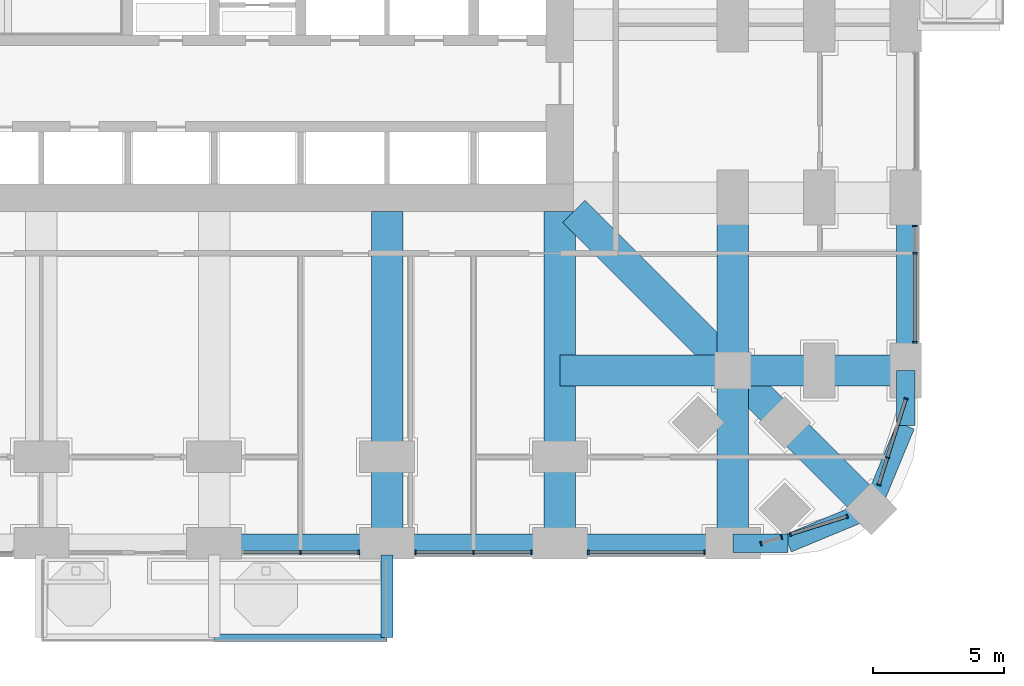
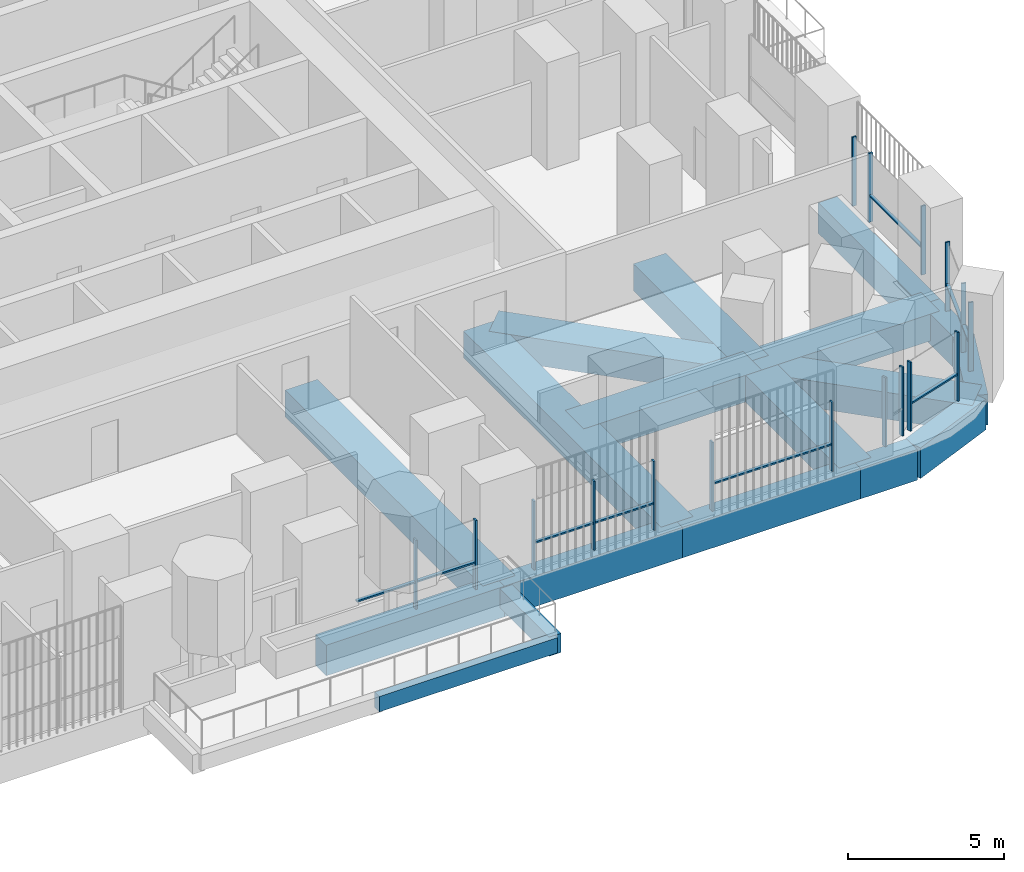
# One storey, part 4 of 26: 26 members, 18 beams, 7 elements without a shape of their own.
"""IFC4 building model written with IfcOpenShell, lengths in metres."""

from ifc_helpers import new_model, si_unit, direction, frame, origin, origin_2d, place, context, subcontext, project, spatial, rectangle, extrude, material, material_profile, profile_set, type_object, element, aggregate, save


model = new_model("IFC4")

# Units and contexts
model_context = context("Model", 3, precision=1e-05, world=origin(), true_north=direction((0.0, 1.0)))
body_context = subcontext(model_context, "Body", "Model", "MODEL_VIEW")
ifc_project = project(units=[si_unit("LENGTHUNIT", "METRE"), si_unit("AREAUNIT", "SQUARE_METRE"), si_unit("VOLUMEUNIT", "CUBIC_METRE"), si_unit("PLANEANGLEUNIT", "RADIAN"), si_unit("MASSUNIT", "GRAM", prefix="KILO")], contexts=[model_context])

# Site, building, storey
site_placement = place(None, origin())
site = spatial("IfcSite", under=ifc_project, at=site_placement, CompositionType="ELEMENT")
building_placement = place(site_placement, origin())
building = spatial("IfcBuilding", under=site, at=building_placement, Name="Cobogo Forest Laboratory Tower", CompositionType="ELEMENT")
storey_placement = place(building_placement, frame((0.0, 0.0, 42.300048828125)))
storey = spatial("IfcBuildingStorey", under=building, at=storey_placement, Name="L09", CompositionType="ELEMENT", Elevation=42.300048828125)

# Beams
ifc_material_1 = material(Name="Concrete HA-40 (C40/50)", Category="concrete")
ifc_material_profile_1 = material_profile(ifc_material_1, rectangle(XDim=0.449951171875, YDim=0.75, at=origin_2d()), Name="RC 450x750")
ifc_profile_set_1 = profile_set([ifc_material_profile_1], Name="Concrete HA-40 (C40/50)")
beam_type_1 = type_object("IfcBeamType", Name="Balcony cantilever beam 450x750", PredefinedType="BEAM", material=ifc_profile_set_1)
beam_1_placement = place(storey_placement, frame((33.0, -0.449951171875, -0.625), z_axis=(0.0, -1.0, 0.0), x_axis=(1.0, 0.0, 0.0)))
element("IfcBeam", 1, at=beam_1_placement, inside=storey, type_object=beam_type_1, Name="CB1 BAL-S1-C3 L09", PredefinedType="BEAM", context=body_context, shape_type="SweptSolid", body=[
    extrude(rectangle(XDim=0.449951171875, YDim=0.75, at=origin_2d()), origin(), (0.0, 0.0, 1.0), 3.150146484375),
])
ifc_material_profile_2 = material_profile(ifc_material_1, rectangle(XDim=0.300048828125, YDim=0.60009765625, at=origin_2d()), Name="RC 300x600")
ifc_profile_set_2 = profile_set([ifc_material_profile_2], Name="Concrete HA-40 (C40/50)")
beam_type_2 = type_object("IfcBeamType", Name="Balcony edge beam 300x600", PredefinedType="BEAM", material=ifc_profile_set_2)
beam_2_placement = place(storey_placement, frame((26.39990234375, -3.60009765625, -0.550048828125), z_axis=(1.0, 0.0, 0.0), x_axis=(0.0, 1.0, 0.0)))
element("IfcBeam", 2, at=beam_2_placement, inside=storey, type_object=beam_type_2, Name="BB1 BAL-S1-T2 L09", PredefinedType="BEAM", context=body_context, shape_type="SweptSolid", body=[
    extrude(rectangle(XDim=0.300048828125, YDim=0.60009765625, at=origin_2d()), origin(), (0.0, 0.0, 1.0), 6.60009765625),
])
ifc_material_profile_3 = material_profile(ifc_material_1, rectangle(XDim=1.199951171875, YDim=1.050048828125, at=origin_2d()), Name="RC 1200x1050")
ifc_profile_set_3 = profile_set([ifc_material_profile_3], Name="Concrete HA-40 (C40/50)")
beam_type_3 = type_object("IfcBeamType", Name="Laboratory floor wide beam 1200x1050", PredefinedType="BEAM", material=ifc_profile_set_3)
for number, where, z_axis, x_axis, name in (
    (3, (33.0, 12.675048828125, -0.824951171875), (0.0, -1.0, 0.0), (1.0, 0.0, 0.0), "RB1 R-6-S L09"),
    (4, (39.60009765625, 12.675048828125, -0.824951171875), (0.0, -1.0, 0.0), (1.0, 0.0, 0.0), "RB1 R-7-S L09"),
):
    element("IfcBeam", number, at=place(storey_placement, frame(where, z_axis=z_axis, x_axis=x_axis)), inside=storey, type_object=beam_type_3, Name=name, PredefinedType="BEAM", context=body_context, shape_type="SweptSolid", body=[
        extrude(rectangle(XDim=1.199951171875, YDim=1.050048828125, at=origin_2d()), origin(), (0.0, 0.0, 1.0), 12.675048828125),
    ])
beam_3_placement = place(storey_placement, frame((46.199951171875, 0.0, -0.824951171875), z_axis=(0.0, 1.0, 0.0), x_axis=(-1.0, 0.0, 0.0)))
element("IfcBeam", 5, at=beam_3_placement, inside=storey, type_object=beam_type_3, Name="RB1 G-SE-XF L09", PredefinedType="BEAM", context=body_context, shape_type="SweptSolid", body=[
    extrude(rectangle(XDim=1.199951171875, YDim=1.050048828125, at=origin_2d()), origin(), (0.0, 0.0, 1.0), 6.60009765625),
])
beam_4_placement = place(storey_placement, frame((46.199951171875, 6.60009765625, -0.824951171875), z_axis=(0.0, 1.0, 0.0), x_axis=(-1.0, 0.0, 0.0)))
element("IfcBeam", 6, at=beam_4_placement, inside=storey, type_object=beam_type_3, Name="RB1 G-SE-XC L09", PredefinedType="BEAM", context=body_context, shape_type="SweptSolid", body=[
    extrude(rectangle(XDim=1.199951171875, YDim=1.050048828125, at=origin_2d()), origin(), (0.0, 0.0, 1.0), 6.599853515625),
])
beam_5_placement = place(storey_placement, frame((52.800048828125, 6.60009765625, -0.824951171875), z_axis=(-1.0, 0.0, 0.0), x_axis=(0.0, -1.0, 0.0)))
element("IfcBeam", 7, at=beam_5_placement, inside=storey, type_object=beam_type_3, Name="RB1 G-SE-YF L09", PredefinedType="BEAM", context=body_context, shape_type="SweptSolid", body=[
    extrude(rectangle(XDim=1.199951171875, YDim=1.050048828125, at=origin_2d()), origin(), (0.0, 0.0, 1.0), 6.60009765625),
])
beam_6_placement = place(storey_placement, frame((46.199951171875, 6.60009765625, -0.824951171875), z_axis=(-1.0, 0.0, 0.0), x_axis=(0.0, -1.0, 0.0)))
element("IfcBeam", 8, at=beam_6_placement, inside=storey, type_object=beam_type_3, Name="RB1 G-SE-YC L09", PredefinedType="BEAM", context=body_context, shape_type="SweptSolid", body=[
    extrude(rectangle(XDim=1.199951171875, YDim=1.050048828125, at=origin_2d()), origin(), (0.0, 0.0, 1.0), 6.599853515625),
])
beam_7_placement = place(storey_placement, frame((51.48193359375, 1.318115234375, -0.824951171875), z_axis=(-0.707106781187, 0.707106781187, 0.0), x_axis=(-0.707106781187, -0.707106781187, 0.0)))
element("IfcBeam", 9, at=beam_7_placement, inside=storey, type_object=beam_type_3, Name="RB1 G-SE-D1 L09", PredefinedType="BEAM", context=body_context, shape_type="SweptSolid", body=[
    extrude(rectangle(XDim=1.199951171875, YDim=1.050048828125, at=origin_2d()), origin(), (0.0, 0.0, 1.0), 7.469970703125),
])
beam_8_placement = place(storey_placement, frame((46.199951171875, 6.60009765625, -0.824951171875), z_axis=(-0.707106781187, 0.707106781187, 0.0), x_axis=(-0.707106781187, -0.707106781187, 0.0)))
element("IfcBeam", 10, at=beam_8_placement, inside=storey, type_object=beam_type_3, Name="RB1 G-SE-D2 L09", PredefinedType="BEAM", context=body_context, shape_type="SweptSolid", body=[
    extrude(rectangle(XDim=1.199951171875, YDim=1.050048828125, at=origin_2d()), origin(), (0.0, 0.0, 1.0), 8.59130859375),
])

# Curtain wall, members
ifc_material_2 = material(Name="Aluminium curtain wall", Category="aluminium")
curtain_wall_type = type_object("IfcCurtainWallType", Name="CW-1 unitised curtain wall, clear glazing, laboratory floors zones A and B", PredefinedType="USERDEFINED", material=ifc_material_2)
curtain_wall_1_placement = place(storey_placement, origin())
curtain_wall_1 = element("IfcCurtainWall", 11, at=curtain_wall_1_placement, inside=storey, type_object=curtain_wall_type, Name="Curtain wall 04 L09", ObjectType="UNITISED CURTAIN WALL", PredefinedType="USERDEFINED")
ifc_material_3 = material(Name="Aluminium mullion", Category="aluminium")
ifc_material_profile_4 = material_profile(ifc_material_3, rectangle(XDim=0.06005859375, YDim=0.159912109375, at=origin_2d()), Name="AL 60x160")
ifc_profile_set_4 = profile_set([ifc_material_profile_4], Name="Aluminium mullion")
member_type_1 = type_object("IfcMemberType", Name="MU-1 aluminium mullion 60x160", PredefinedType="MULLION", material=ifc_profile_set_4)
member_1_placement = place(storey_placement, frame((29.699951171875, -0.35009765625, 0.0), z_axis=(0.0, 0.0, 1.0), x_axis=(1.0, 0.0, 0.0)))
member_1 = element("IfcMember", 12, at=member_1_placement, type_object=member_type_1, Name="CW-1 mullion 2", PredefinedType="MULLION", context=body_context, shape_type="SweptSolid", body=[
    extrude(rectangle(XDim=0.06005859375, YDim=0.159912109375, at=origin_2d()), origin(), (0.0, 0.0, 1.0), 2.699951171875),
])
member_2_placement = place(storey_placement, frame((31.919921875, -0.35009765625, 0.0), z_axis=(0.0, 0.0, 1.0), x_axis=(1.0, 0.0, 0.0)))
member_2 = element("IfcMember", 13, at=member_2_placement, type_object=member_type_1, Name="CW-1 mullion 3", PredefinedType="MULLION", context=body_context, shape_type="SweptSolid", body=[
    extrude(rectangle(XDim=0.06005859375, YDim=0.159912109375, at=origin_2d()), origin(), (0.0, 0.0, 1.0), 2.699951171875),
])

curtain_wall_2_placement = place(storey_placement, origin())
curtain_wall_2 = element("IfcCurtainWall", 14, at=curtain_wall_2_placement, inside=storey, type_object=curtain_wall_type, Name="Curtain wall 05 L09", ObjectType="UNITISED CURTAIN WALL", PredefinedType="USERDEFINED")
member_3_placement = place(storey_placement, frame((34.080078125, -0.35009765625, 0.0), z_axis=(0.0, 0.0, 1.0), x_axis=(1.0, 0.0, 0.0)))
member_3 = element("IfcMember", 15, at=member_3_placement, type_object=member_type_1, Name="CW-1 mullion 1", PredefinedType="MULLION", context=body_context, shape_type="SweptSolid", body=[
    extrude(rectangle(XDim=0.06005859375, YDim=0.159912109375, at=origin_2d()), origin(), (0.0, 0.0, 1.0), 2.699951171875),
])
member_4_placement = place(storey_placement, frame((36.300048828125, -0.35009765625, 0.0), z_axis=(0.0, 0.0, 1.0), x_axis=(1.0, 0.0, 0.0)))
member_4 = element("IfcMember", 16, at=member_4_placement, type_object=member_type_1, Name="CW-1 mullion 2", PredefinedType="MULLION", context=body_context, shape_type="SweptSolid", body=[
    extrude(rectangle(XDim=0.06005859375, YDim=0.159912109375, at=origin_2d()), origin(), (0.0, 0.0, 1.0), 2.699951171875),
])
member_5_placement = place(storey_placement, frame((38.52001953125, -0.35009765625, 0.0), z_axis=(0.0, 0.0, 1.0), x_axis=(1.0, 0.0, 0.0)))
member_5 = element("IfcMember", 17, at=member_5_placement, type_object=member_type_1, Name="CW-1 mullion 3", PredefinedType="MULLION", context=body_context, shape_type="SweptSolid", body=[
    extrude(rectangle(XDim=0.06005859375, YDim=0.159912109375, at=origin_2d()), origin(), (0.0, 0.0, 1.0), 2.699951171875),
])

curtain_wall_3_placement = place(storey_placement, origin())
curtain_wall_3 = element("IfcCurtainWall", 18, at=curtain_wall_3_placement, inside=storey, type_object=curtain_wall_type, Name="Curtain wall 06 L09", ObjectType="UNITISED CURTAIN WALL", PredefinedType="USERDEFINED")
member_6_placement = place(storey_placement, frame((40.679931640625, -0.35009765625, 0.0), z_axis=(0.0, 0.0, 1.0), x_axis=(1.0, 0.0, 0.0)))
member_6 = element("IfcMember", 19, at=member_6_placement, type_object=member_type_1, Name="CW-1 mullion 1", PredefinedType="MULLION", context=body_context, shape_type="SweptSolid", body=[
    extrude(rectangle(XDim=0.06005859375, YDim=0.159912109375, at=origin_2d()), origin(), (0.0, 0.0, 1.0), 2.699951171875),
])
member_7_placement = place(storey_placement, frame((45.1201171875, -0.35009765625, 0.0), z_axis=(0.0, 0.0, 1.0), x_axis=(1.0, 0.0, 0.0)))
member_7 = element("IfcMember", 20, at=member_7_placement, type_object=member_type_1, Name="CW-1 mullion 2", PredefinedType="MULLION", context=body_context, shape_type="SweptSolid", body=[
    extrude(rectangle(XDim=0.06005859375, YDim=0.159912109375, at=origin_2d()), origin(), (0.0, 0.0, 1.0), 2.699951171875),
])

curtain_wall_4_placement = place(storey_placement, origin())
curtain_wall_4 = element("IfcCurtainWall", 21, at=curtain_wall_4_placement, inside=storey, type_object=curtain_wall_type, Name="Curtain wall 07 L09", ObjectType="UNITISED CURTAIN WALL", PredefinedType="USERDEFINED")
member_8_placement = place(storey_placement, frame((47.278564453125, -0.00927734375, 0.0), z_axis=(0.0, 0.0, 1.0), x_axis=(0.953581504428, 0.301135043481, 0.0)))
member_8 = element("IfcMember", 22, at=member_8_placement, type_object=member_type_1, Name="CW-1 mullion 1", PredefinedType="MULLION", context=body_context, shape_type="SweptSolid", body=[
    extrude(rectangle(XDim=0.06005859375, YDim=0.159912109375, at=origin_2d()), origin(), (0.0, 0.0, 1.0), 2.699951171875),
])
member_9_placement = place(storey_placement, frame((48.05322265625, 0.2353515625, 0.0), z_axis=(0.0, 0.0, 1.0), x_axis=(0.953581504428, 0.301135043481, 0.0)))
member_9 = element("IfcMember", 23, at=member_9_placement, type_object=member_type_1, Name="CW-1 mullion 2", PredefinedType="MULLION", context=body_context, shape_type="SweptSolid", body=[
    extrude(rectangle(XDim=0.06005859375, YDim=0.159912109375, at=origin_2d()), origin(), (0.0, 0.0, 1.0), 2.699951171875),
])
aggregate(curtain_wall_4, [member_8, member_9])

curtain_wall_5_placement = place(storey_placement, origin())
curtain_wall_5 = element("IfcCurtainWall", 24, at=curtain_wall_5_placement, inside=storey, type_object=curtain_wall_type, Name="Curtain wall 08 L09", ObjectType="UNITISED CURTAIN WALL", PredefinedType="USERDEFINED")
member_10_placement = place(storey_placement, frame((48.403076171875, 0.345703125, 0.0), z_axis=(0.0, 0.0, 1.0), x_axis=(0.953581409645, 0.301135343623, 0.0)))
member_10 = element("IfcMember", 25, at=member_10_placement, type_object=member_type_1, Name="CW-1 mullion 1", PredefinedType="MULLION", context=body_context, shape_type="SweptSolid", body=[
    extrude(rectangle(XDim=0.06005859375, YDim=0.159912109375, at=origin_2d()), origin(), (0.0, 0.0, 1.0), 2.699951171875),
])
member_11_placement = place(storey_placement, frame((50.561279296875, 1.02734375, 0.0), z_axis=(0.0, 0.0, 1.0), x_axis=(0.953581409645, 0.301135343623, 0.0)))
member_11 = element("IfcMember", 26, at=member_11_placement, type_object=member_type_1, Name="CW-1 mullion 2", PredefinedType="MULLION", context=body_context, shape_type="SweptSolid", body=[
    extrude(rectangle(XDim=0.06005859375, YDim=0.159912109375, at=origin_2d()), origin(), (0.0, 0.0, 1.0), 2.699951171875),
])

curtain_wall_6_placement = place(storey_placement, origin())
curtain_wall_6 = element("IfcCurtainWall", 27, at=curtain_wall_6_placement, inside=storey, type_object=curtain_wall_type, Name="Curtain wall 09 L09", ObjectType="UNITISED CURTAIN WALL", PredefinedType="USERDEFINED")
member_12_placement = place(storey_placement, frame((51.772705078125, 2.23876953125, 0.0), z_axis=(0.0, 0.0, 1.0), x_axis=(0.30113535792, 0.95358140513, 0.0)))
member_12 = element("IfcMember", 28, at=member_12_placement, type_object=member_type_1, Name="CW-1 mullion 1", PredefinedType="MULLION", context=body_context, shape_type="SweptSolid", body=[
    extrude(rectangle(XDim=0.06005859375, YDim=0.159912109375, at=origin_2d()), origin(), (0.0, 0.0, 1.0), 2.699951171875),
])
member_13_placement = place(storey_placement, frame((52.100341796875, 3.27587890625, 0.0), z_axis=(0.0, 0.0, 1.0), x_axis=(0.30113535792, 0.95358140513, 0.0)))
member_13 = element("IfcMember", 29, at=member_13_placement, type_object=member_type_1, Name="CW-1 mullion 2", PredefinedType="MULLION", context=body_context, shape_type="SweptSolid", body=[
    extrude(rectangle(XDim=0.06005859375, YDim=0.159912109375, at=origin_2d()), origin(), (0.0, 0.0, 1.0), 2.699951171875),
])
member_14_placement = place(storey_placement, frame((52.809326171875, 5.521484375, 0.0), z_axis=(0.0, 0.0, 1.0), x_axis=(0.30113535792, 0.95358140513, 0.0)))
member_14 = element("IfcMember", 30, at=member_14_placement, type_object=member_type_1, Name="CW-1 mullion 3", PredefinedType="MULLION", context=body_context, shape_type="SweptSolid", body=[
    extrude(rectangle(XDim=0.06005859375, YDim=0.159912109375, at=origin_2d()), origin(), (0.0, 0.0, 1.0), 2.699951171875),
])

curtain_wall_7_placement = place(storey_placement, origin())
curtain_wall_7 = element("IfcCurtainWall", 31, at=curtain_wall_7_placement, inside=storey, type_object=curtain_wall_type, Name="Curtain wall 10 L09", ObjectType="UNITISED CURTAIN WALL", PredefinedType="USERDEFINED")
member_15_placement = place(storey_placement, frame((53.14990234375, 7.679931640625, 0.0), z_axis=(0.0, 0.0, 1.0), x_axis=(0.0, 1.0, 0.0)))
member_15 = element("IfcMember", 32, at=member_15_placement, type_object=member_type_1, Name="CW-1 mullion 1", PredefinedType="MULLION", context=body_context, shape_type="SweptSolid", body=[
    extrude(rectangle(XDim=0.06005859375, YDim=0.159912109375, at=origin_2d()), origin(), (0.0, 0.0, 1.0), 2.699951171875),
])
member_16_placement = place(storey_placement, frame((53.14990234375, 11.074951171875, 0.0), z_axis=(0.0, 0.0, 1.0), x_axis=(0.0, 1.0, 0.0)))
member_16 = element("IfcMember", 33, at=member_16_placement, type_object=member_type_1, Name="CW-1 mullion 2", PredefinedType="MULLION", context=body_context, shape_type="SweptSolid", body=[
    extrude(rectangle(XDim=0.06005859375, YDim=0.159912109375, at=origin_2d()), origin(), (0.0, 0.0, 1.0), 2.699951171875),
])
member_17_placement = place(storey_placement, frame((53.14990234375, 12.1201171875, 0.0), z_axis=(0.0, 0.0, 1.0), x_axis=(0.0, 1.0, 0.0)))
member_17 = element("IfcMember", 34, at=member_17_placement, type_object=member_type_1, Name="CW-1 mullion 3", PredefinedType="MULLION", context=body_context, shape_type="SweptSolid", body=[
    extrude(rectangle(XDim=0.06005859375, YDim=0.159912109375, at=origin_2d()), origin(), (0.0, 0.0, 1.0), 2.699951171875),
])

# Beams
ifc_material_profile_5 = material_profile(ifc_material_1, rectangle(XDim=0.699951171875, YDim=1.199951171875, at=origin_2d()), Name="RC 700x1200")
ifc_profile_set_5 = profile_set([ifc_material_profile_5], Name="Concrete HA-40 (C40/50)")
beam_type_4 = type_object("IfcBeamType", Name="Perimeter edge beam 700x1200", PredefinedType="BEAM", material=ifc_profile_set_5)
for number, where, z_axis, x_axis, name in (
    (35, (26.39990234375, 0.0, -0.900146484375), (1.0, 0.0, 0.0), (0.0, 1.0, 0.0), "EB1 E-S4 L09"),
    (36, (33.0, 0.0, -0.900146484375), (1.0, 0.0, 0.0), (0.0, 1.0, 0.0), "EB1 E-S5 L09"),
):
    element("IfcBeam", number, at=place(storey_placement, frame(where, z_axis=z_axis, x_axis=x_axis)), inside=storey, type_object=beam_type_4, Name=name, PredefinedType="BEAM", context=body_context, shape_type="SweptSolid", body=[
        extrude(rectangle(XDim=0.699951171875, YDim=1.199951171875, at=origin_2d()), origin(), (0.0, 0.0, 1.0), 6.60009765625),
    ])
for number, where, z_axis, x_axis, name in (
    (37, (39.60009765625, 0.0, -0.900146484375), (1.0, 0.0, 0.0), (0.0, 1.0, 0.0), "EB1 E-S6 L09"),
    (38, (52.800048828125, 6.60009765625, -0.900146484375), (0.0, 1.0, 0.0), (-1.0, 0.0, 0.0), "EB1 E-E1 L09"),
):
    element("IfcBeam", number, at=place(storey_placement, frame(where, z_axis=z_axis, x_axis=x_axis)), inside=storey, type_object=beam_type_4, Name=name, PredefinedType="BEAM", context=body_context, shape_type="SweptSolid", body=[
        extrude(rectangle(XDim=0.699951171875, YDim=1.199951171875, at=origin_2d()), origin(), (0.0, 0.0, 1.0), 6.599853515625),
    ])
beam_9_placement = place(storey_placement, frame((46.199951171875, 0.0, -0.900146484375), z_axis=(1.0, 0.0, 0.0), x_axis=(0.0, 1.0, 0.0)))
element("IfcBeam", 39, at=beam_9_placement, inside=storey, type_object=beam_type_4, Name="EB1 E-SES1 L09", PredefinedType="BEAM", context=body_context, shape_type="SweptSolid", body=[
    extrude(rectangle(XDim=0.699951171875, YDim=1.199951171875, at=origin_2d()), origin(), (0.0, 0.0, 1.0), 2.10009765625),
])
beam_10_placement = place(storey_placement, frame((48.300048828125, 0.0, -0.900146484375), z_axis=(0.923865631356, 0.382716990999, 0.0), x_axis=(-0.382716990999, 0.923865631356, 0.0)))
element("IfcBeam", 40, at=beam_10_placement, inside=storey, type_object=beam_type_4, Name="EB1 E-SES2 L09", PredefinedType="BEAM", context=body_context, shape_type="SweptSolid", body=[
    extrude(rectangle(XDim=0.699951171875, YDim=1.199951171875, at=origin_2d()), origin(), (0.0, 0.0, 1.0), 3.444091796875),
])
beam_11_placement = place(storey_placement, frame((52.800048828125, 6.60009765625, -0.900146484375), z_axis=(0.0, -1.0, 0.0), x_axis=(1.0, 0.0, 0.0)))
element("IfcBeam", 41, at=beam_11_placement, inside=storey, type_object=beam_type_4, Name="EB1 E-SEE1 L09", PredefinedType="BEAM", context=body_context, shape_type="SweptSolid", body=[
    extrude(rectangle(XDim=0.699951171875, YDim=1.199951171875, at=origin_2d()), origin(), (0.0, 0.0, 1.0), 2.10009765625),
])
beam_12_placement = place(storey_placement, frame((52.800048828125, 4.5, -0.900146484375), z_axis=(-0.382716990999, -0.923865631356, 0.0), x_axis=(0.923865631356, -0.382716990999, 0.0)))
element("IfcBeam", 42, at=beam_12_placement, inside=storey, type_object=beam_type_4, Name="EB1 E-SEE2 L09", PredefinedType="BEAM", context=body_context, shape_type="SweptSolid", body=[
    extrude(rectangle(XDim=0.699951171875, YDim=1.199951171875, at=origin_2d()), origin(), (0.0, 0.0, 1.0), 3.444091796875),
])

# Member
ifc_material_4 = material(Name="Aluminium transom", Category="aluminium")
ifc_material_profile_6 = material_profile(ifc_material_4, rectangle(XDim=0.1201171875, YDim=0.06005859375, at=origin_2d()), Name="AL 60x120")
ifc_profile_set_6 = profile_set([ifc_material_profile_6], Name="Aluminium transom")
member_type_2 = type_object("IfcMemberType", Name="TR-1 aluminium transom 60x120", PredefinedType="USERDEFINED", material=ifc_profile_set_6)
member_18_placement = place(storey_placement, frame((27.510009765625, -0.35009765625, 1.050048828125), z_axis=(1.0, 0.0, 0.0), x_axis=(0.0, 1.0, 0.0)))
member_18 = element("IfcMember", 43, at=member_18_placement, type_object=member_type_2, Name="CW-1 transom 1.1", ObjectType="TRANSOM", PredefinedType="USERDEFINED", context=body_context, shape_type="SweptSolid", body=[
    extrude(rectangle(XDim=0.1201171875, YDim=0.06005859375, at=origin_2d()), origin(), (0.0, 0.0, 1.0), 2.159912109375),
])

member_19_placement = place(storey_placement, frame((29.72998046875, -0.35009765625, 1.050048828125), z_axis=(1.0, 0.0, 0.0), x_axis=(0.0, 1.0, 0.0)))
member_19 = element("IfcMember", 44, at=member_19_placement, type_object=member_type_2, Name="CW-1 transom 2.1", ObjectType="TRANSOM", PredefinedType="USERDEFINED", context=body_context, shape_type="SweptSolid", body=[
    extrude(rectangle(XDim=0.1201171875, YDim=0.06005859375, at=origin_2d()), origin(), (0.0, 0.0, 1.0), 2.159912109375),
])

aggregate(curtain_wall_1, [member_1, member_2, member_18, member_19])

member_20_placement = place(storey_placement, frame((34.110107421875, -0.35009765625, 1.050048828125), z_axis=(1.0, 0.0, 0.0), x_axis=(0.0, 1.0, 0.0)))
member_20 = element("IfcMember", 45, at=member_20_placement, type_object=member_type_2, Name="CW-1 transom 1.1", ObjectType="TRANSOM", PredefinedType="USERDEFINED", context=body_context, shape_type="SweptSolid", body=[
    extrude(rectangle(XDim=0.1201171875, YDim=0.06005859375, at=origin_2d()), origin(), (0.0, 0.0, 1.0), 2.159912109375),
])

member_21_placement = place(storey_placement, frame((36.330078125, -0.35009765625, 1.050048828125), z_axis=(1.0, 0.0, 0.0), x_axis=(0.0, 1.0, 0.0)))
member_21 = element("IfcMember", 46, at=member_21_placement, type_object=member_type_2, Name="CW-1 transom 2.1", ObjectType="TRANSOM", PredefinedType="USERDEFINED", context=body_context, shape_type="SweptSolid", body=[
    extrude(rectangle(XDim=0.1201171875, YDim=0.06005859375, at=origin_2d()), origin(), (0.0, 0.0, 1.0), 2.159912109375),
])

aggregate(curtain_wall_2, [member_3, member_4, member_5, member_20, member_21])

member_22_placement = place(storey_placement, frame((40.7099609375, -0.35009765625, 1.050048828125), z_axis=(1.0, 0.0, 0.0), x_axis=(0.0, 1.0, 0.0)))
member_22 = element("IfcMember", 47, at=member_22_placement, type_object=member_type_2, Name="CW-1 transom 1.1", ObjectType="TRANSOM", PredefinedType="USERDEFINED", context=body_context, shape_type="SweptSolid", body=[
    extrude(rectangle(XDim=0.1201171875, YDim=0.06005859375, at=origin_2d()), origin(), (0.0, 0.0, 1.0), 4.380126953125),
])

aggregate(curtain_wall_3, [member_6, member_7, member_22])

member_23_placement = place(storey_placement, frame((48.431640625, 0.354736328125, 1.050048828125), z_axis=(0.953572616955, 0.301163185322, 0.0), x_axis=(-0.301163185322, 0.953572616955, 0.0)))
member_23 = element("IfcMember", 48, at=member_23_placement, type_object=member_type_2, Name="CW-1 transom 1.1", ObjectType="TRANSOM", PredefinedType="USERDEFINED", context=body_context, shape_type="SweptSolid", body=[
    extrude(rectangle(XDim=0.1201171875, YDim=0.06005859375, at=origin_2d()), origin(), (0.0, 0.0, 1.0), 2.203369140625),
])

aggregate(curtain_wall_5, [member_10, member_11, member_23])

member_24_placement = place(storey_placement, frame((51.78173828125, 2.267333984375, 1.050048828125), z_axis=(0.301222320394, 0.953553938535, 0.0), x_axis=(-0.953553938535, 0.301222320394, 0.0)))
member_24 = element("IfcMember", 49, at=member_24_placement, type_object=member_type_2, Name="CW-1 transom 1.1", ObjectType="TRANSOM", PredefinedType="USERDEFINED", context=body_context, shape_type="SweptSolid", body=[
    extrude(rectangle(XDim=0.1201171875, YDim=0.06005859375, at=origin_2d()), origin(), (0.0, 0.0, 1.0), 1.02783203125),
])

member_25_placement = place(storey_placement, frame((52.109375, 3.304443359375, 1.050048828125), z_axis=(0.301090633022, 0.953595527835, 0.0), x_axis=(-0.953595527835, 0.301090633022, 0.0)))
member_25 = element("IfcMember", 50, at=member_25_placement, type_object=member_type_2, Name="CW-1 transom 2.1", ObjectType="TRANSOM", PredefinedType="USERDEFINED", context=body_context, shape_type="SweptSolid", body=[
    extrude(rectangle(XDim=0.1201171875, YDim=0.06005859375, at=origin_2d()), origin(), (0.0, 0.0, 1.0), 2.294677734375),
])

aggregate(curtain_wall_6, [member_12, member_13, member_14, member_24, member_25])

member_26_placement = place(storey_placement, frame((53.14990234375, 7.7099609375, 1.050048828125), z_axis=(0.0, 1.0, 0.0), x_axis=(-1.0, 0.0, 0.0)))
member_26 = element("IfcMember", 51, at=member_26_placement, type_object=member_type_2, Name="CW-1 transom 1.1", ObjectType="TRANSOM", PredefinedType="USERDEFINED", context=body_context, shape_type="SweptSolid", body=[
    extrude(rectangle(XDim=0.1201171875, YDim=0.06005859375, at=origin_2d()), origin(), (0.0, 0.0, 1.0), 3.3349609375),
])

aggregate(curtain_wall_7, [member_15, member_16, member_17, member_26])

save(model, "model.ifc")
